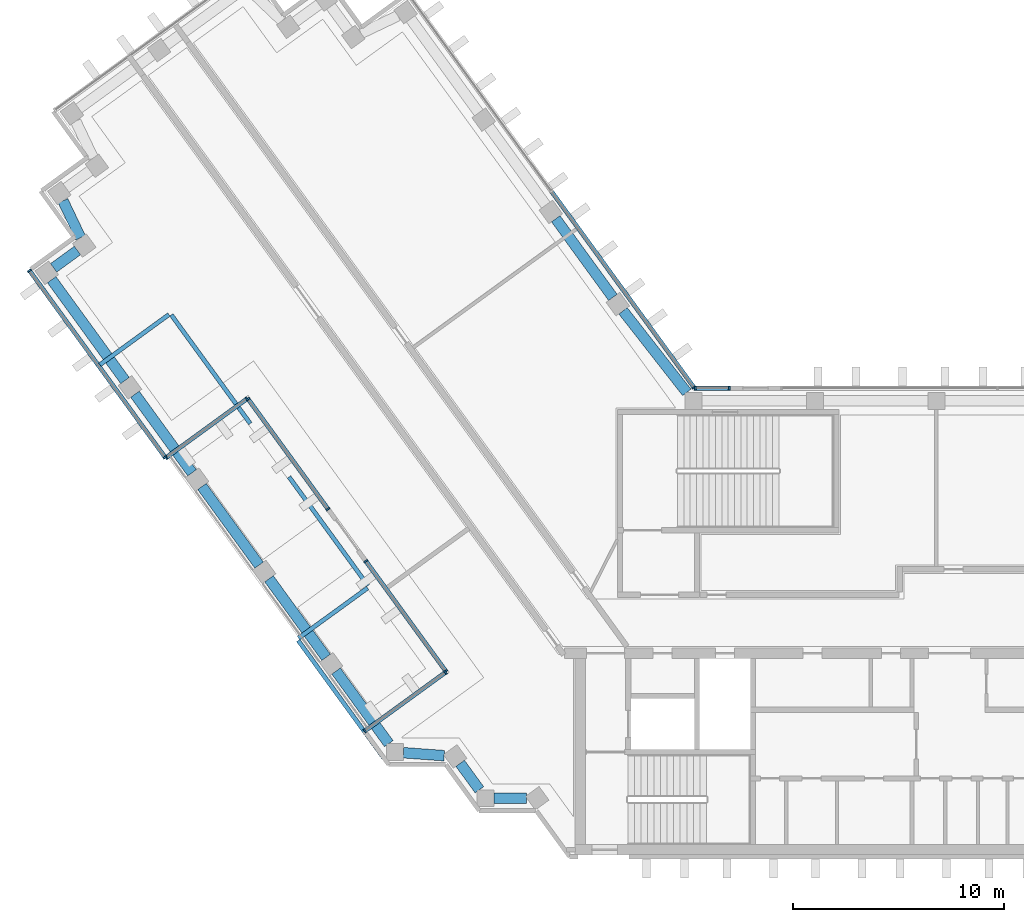
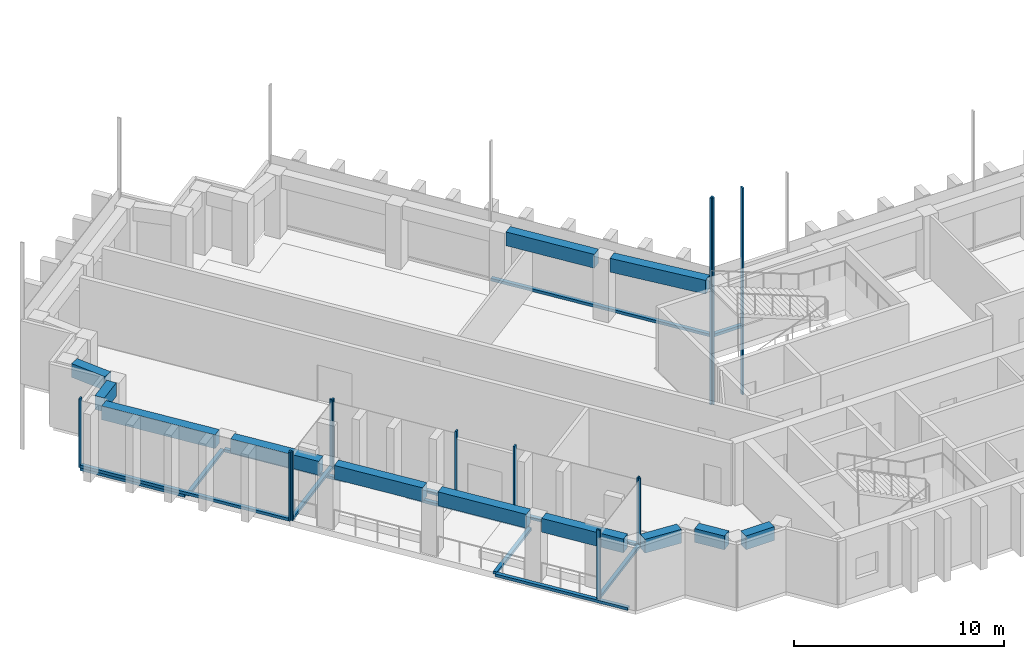
"""IFC4 building model written with IfcOpenShell, lengths in metres."""

from ifc_helpers import new_model, si_unit, direction, frame, origin, origin_2d, place, context, subcontext, project, spatial, rectangle, extrude, material, material_profile, profile_set, type_object, element, aggregate, save


model = new_model("IFC4")

# Units and contexts
model_context = context("Model", 3, precision=1e-05, world=origin(), true_north=direction((0.0, 1.0)))
body_context = subcontext(model_context, "Body", "Model", "MODEL_VIEW")
ifc_project = project(units=[si_unit("LENGTHUNIT", "METRE"), si_unit("AREAUNIT", "SQUARE_METRE"), si_unit("VOLUMEUNIT", "CUBIC_METRE"), si_unit("PLANEANGLEUNIT", "RADIAN"), si_unit("MASSUNIT", "GRAM", prefix="KILO")], contexts=[model_context])

# Site, building, storey
site_placement = place(None, origin())
site = spatial("IfcSite", under=ifc_project, at=site_placement, CompositionType="ELEMENT")
building_placement = place(site_placement, origin())
building = spatial("IfcBuilding", under=site, at=building_placement, Name="Quipu Civic Tower", CompositionType="ELEMENT")
storey_1_placement = place(building_placement, frame((0.0, 0.0, 160.0)))
storey_1 = spatial("IfcBuildingStorey", under=building, at=storey_1_placement, Name="L37", CompositionType="ELEMENT", Elevation=160.0)

# Curtain wall, members
ifc_material_1 = material(Name="Insulated glass unit", Category="glass")
curtain_wall_type = type_object("IfcCurtainWallType", Name="Office curtain wall CW1", PredefinedType="NOTDEFINED", material=ifc_material_1)
curtain_wall_1_placement = place(storey_1_placement, origin())
curtain_wall_1 = element("IfcCurtainWall", 1, at=curtain_wall_1_placement, inside=storey_1, type_object=curtain_wall_type, Name="Office curtain wall CW1 L37 run 1", PredefinedType="NOTDEFINED")
ifc_material_2 = material(Name="Anodised aluminium", Category="aluminium")
ifc_material_profile_1 = material_profile(ifc_material_2, rectangle(XDim=0.199951171875, YDim=0.080078125, at=origin_2d()), Name="RECT 200x80")
ifc_profile_set_1 = profile_set([ifc_material_profile_1], Name="Anodised aluminium")
member_type_1 = type_object("IfcMemberType", Name="Mullion CW1", PredefinedType="MULLION", material=ifc_profile_set_1)
member_1_placement = place(storey_1_placement, frame((-45.825927734375, 16.661865234375, 0.080078125), z_axis=(0.0, 0.0, 1.0), x_axis=(0.809015896796, 0.587786762977, 0.0)))
member_1 = element("IfcMember", 2, at=member_1_placement, type_object=member_type_1, Name="CW1 mullion 1", PredefinedType="MULLION", context=body_context, shape_type="SweptSolid", body=[
    extrude(rectangle(XDim=0.199951171875, YDim=0.080078125, at=origin_2d()), origin(), (0.0, 0.0, 1.0), 4.0),
])
member_2_placement = place(storey_1_placement, frame((-39.407470703125, 7.82763671875, 0.080078125), z_axis=(0.0, 0.0, 1.0), x_axis=(0.809015896796, 0.587786762977, 0.0)))
member_2 = element("IfcMember", 3, at=member_2_placement, type_object=member_type_1, Name="CW1 mullion 2", PredefinedType="MULLION", context=body_context, shape_type="SweptSolid", body=[
    extrude(rectangle(XDim=0.199951171875, YDim=0.080078125, at=origin_2d()), origin(), (0.0, 0.0, 1.0), 4.0),
])

curtain_wall_2_placement = place(storey_1_placement, origin())
curtain_wall_2 = element("IfcCurtainWall", 4, at=curtain_wall_2_placement, inside=storey_1, type_object=curtain_wall_type, Name="Office curtain wall CW1 L37 run 2", PredefinedType="NOTDEFINED")
member_3_placement = place(storey_1_placement, frame((-39.3515625, 7.818603515625, 0.080078125), z_axis=(0.0, 0.0, 1.0), x_axis=(-0.58777398931, 0.809025177291, 0.0)))
member_3 = element("IfcMember", 5, at=member_3_placement, type_object=member_type_1, Name="CW1 mullion 1", PredefinedType="MULLION", context=body_context, shape_type="SweptSolid", body=[
    extrude(rectangle(XDim=0.199951171875, YDim=0.080078125, at=origin_2d()), origin(), (0.0, 0.0, 1.0), 4.0),
])
member_4_placement = place(storey_1_placement, frame((-35.532958984375, 10.593017578125, 0.080078125), z_axis=(0.0, 0.0, 1.0), x_axis=(-0.58777398931, 0.809025177291, 0.0)))
member_4 = element("IfcMember", 6, at=member_4_placement, type_object=member_type_1, Name="CW1 mullion 2", PredefinedType="MULLION", context=body_context, shape_type="SweptSolid", body=[
    extrude(rectangle(XDim=0.199951171875, YDim=0.080078125, at=origin_2d()), origin(), (0.0, 0.0, 1.0), 4.0),
])

curtain_wall_3_placement = place(storey_1_placement, origin())
curtain_wall_3 = element("IfcCurtainWall", 7, at=curtain_wall_3_placement, inside=storey_1, type_object=curtain_wall_type, Name="Office curtain wall CW1 L37 run 3", PredefinedType="NOTDEFINED")
member_5_placement = place(storey_1_placement, frame((-35.47705078125, 10.584228515625, 0.080078125), z_axis=(0.0, 0.0, 1.0), x_axis=(0.8090179163, 0.587783983369, 0.0)))
member_5 = element("IfcMember", 8, at=member_5_placement, type_object=member_type_1, Name="CW1 mullion 1", PredefinedType="MULLION", context=body_context, shape_type="SweptSolid", body=[
    extrude(rectangle(XDim=0.199951171875, YDim=0.080078125, at=origin_2d()), origin(), (0.0, 0.0, 1.0), 4.0),
])
member_6_placement = place(storey_1_placement, frame((-31.6923828125, 5.375, 0.080078125), z_axis=(0.0, 0.0, 1.0), x_axis=(0.8090179163, 0.587783983369, 0.0)))
member_6 = element("IfcMember", 9, at=member_6_placement, type_object=member_type_1, Name="CW1 mullion 2", PredefinedType="MULLION", context=body_context, shape_type="SweptSolid", body=[
    extrude(rectangle(XDim=0.199951171875, YDim=0.080078125, at=origin_2d()), origin(), (0.0, 0.0, 1.0), 4.0),
])

curtain_wall_4_placement = place(storey_1_placement, origin())
curtain_wall_4 = element("IfcCurtainWall", 10, at=curtain_wall_4_placement, inside=storey_1, type_object=curtain_wall_type, Name="Office curtain wall CW1 L37 run 5", PredefinedType="NOTDEFINED")
member_7_placement = place(storey_1_placement, frame((-29.90380859375, 2.9130859375, 0.080078125), z_axis=(0.0, 0.0, 1.0), x_axis=(0.809017290474, 0.587784844747, 0.0)))
member_7 = element("IfcMember", 11, at=member_7_placement, type_object=member_type_1, Name="CW1 mullion 1", PredefinedType="MULLION", context=body_context, shape_type="SweptSolid", body=[
    extrude(rectangle(XDim=0.199951171875, YDim=0.080078125, at=origin_2d()), origin(), (0.0, 0.0, 1.0), 4.0),
])
member_8_placement = place(storey_1_placement, frame((-26.11962890625, -2.29541015625, 0.080078125), z_axis=(0.0, 0.0, 1.0), x_axis=(0.809017290474, 0.587784844747, 0.0)))
member_8 = element("IfcMember", 12, at=member_8_placement, type_object=member_type_1, Name="CW1 mullion 2", PredefinedType="MULLION", context=body_context, shape_type="SweptSolid", body=[
    extrude(rectangle(XDim=0.199951171875, YDim=0.080078125, at=origin_2d()), origin(), (0.0, 0.0, 1.0), 4.0),
])

curtain_wall_5_placement = place(storey_1_placement, origin())
curtain_wall_5 = element("IfcCurtainWall", 13, at=curtain_wall_5_placement, inside=storey_1, type_object=curtain_wall_type, Name="Office curtain wall CW1 L37 run 6", PredefinedType="NOTDEFINED")
member_9_placement = place(storey_1_placement, frame((-26.12841796875, -2.351318359375, 0.080078125), z_axis=(0.0, 0.0, 1.0), x_axis=(0.587797531918, -0.809008072563, 0.0)))
member_9 = element("IfcMember", 14, at=member_9_placement, type_object=member_type_1, Name="CW1 mullion 1", PredefinedType="MULLION", context=body_context, shape_type="SweptSolid", body=[
    extrude(rectangle(XDim=0.199951171875, YDim=0.080078125, at=origin_2d()), origin(), (0.0, 0.0, 1.0), 4.0),
])
member_10_placement = place(storey_1_placement, frame((-29.947021484375, -5.12548828125, 0.080078125), z_axis=(0.0, 0.0, 1.0), x_axis=(0.587797531918, -0.809008072563, 0.0)))
member_10 = element("IfcMember", 15, at=member_10_placement, type_object=member_type_1, Name="CW1 mullion 2", PredefinedType="MULLION", context=body_context, shape_type="SweptSolid", body=[
    extrude(rectangle(XDim=0.199951171875, YDim=0.080078125, at=origin_2d()), origin(), (0.0, 0.0, 1.0), 4.0),
])

# Curtain wall, member
curtain_wall_6_placement = place(storey_1_placement, origin())
curtain_wall_6 = element("IfcCurtainWall", 16, at=curtain_wall_6_placement, inside=storey_1, type_object=curtain_wall_type, Name="Office curtain wall CW1 L36 run 10", PredefinedType="NOTDEFINED")
member_11_placement = place(storey_1_placement, frame((-14.36767578125, 11.13232421875, -3.919921875), z_axis=(0.0, 0.0, 1.0), x_axis=(-0.809014469803, -0.587788727052, 0.0)))
member_11 = element("IfcMember", 17, at=member_11_placement, type_object=member_type_1, Name="CW1 mullion 1", PredefinedType="MULLION", context=body_context, shape_type="SweptSolid", body=[
    extrude(rectangle(XDim=0.199951171875, YDim=0.080078125, at=origin_2d()), origin(), (0.0, 0.0, 1.0), 12.0),
])

# Curtain wall, members
curtain_wall_7_placement = place(storey_1_placement, origin())
curtain_wall_7 = element("IfcCurtainWall", 18, at=curtain_wall_7_placement, inside=storey_1, type_object=curtain_wall_type, Name="Office curtain wall CW1 L36 run 41", PredefinedType="NOTDEFINED")
member_12_placement = place(storey_1_placement, frame((-12.695068359375, 11.10009765625, -3.919921875), z_axis=(0.0, 0.0, 1.0), x_axis=(0.0, -1.0, 0.0)))
member_12 = element("IfcMember", 19, at=member_12_placement, type_object=member_type_1, Name="CW1 mullion 1", PredefinedType="MULLION", context=body_context, shape_type="SweptSolid", body=[
    extrude(rectangle(XDim=0.199951171875, YDim=0.080078125, at=origin_2d()), origin(), (0.0, 0.0, 1.0), 12.0),
])
member_13_placement = place(storey_1_placement, frame((-14.30419921875, 11.10009765625, -3.919921875), z_axis=(0.0, 0.0, 1.0), x_axis=(0.0, -1.0, 0.0)))
member_13 = element("IfcMember", 20, at=member_13_placement, type_object=member_type_1, Name="CW1 mullion 2", PredefinedType="MULLION", context=body_context, shape_type="SweptSolid", body=[
    extrude(rectangle(XDim=0.199951171875, YDim=0.080078125, at=origin_2d()), origin(), (0.0, 0.0, 1.0), 12.0),
])

# Beams
ifc_material_3 = material(Name="Concrete C50/60", Category="concrete")
ifc_material_profile_2 = material_profile(ifc_material_3, rectangle(XDim=0.5, YDim=0.800048828125, at=origin_2d()), Name="RC500x800")
ifc_profile_set_2 = profile_set([ifc_material_profile_2], Name="Concrete C50/60")
beam_type = type_object("IfcBeamType", Name="Spandrel beam RC 500x800 C50/60", PredefinedType="SPANDREL", material=ifc_profile_set_2)
beam_1_placement = place(storey_1_placement, frame((-18.208740234375, 15.398681640625, 3.25), z_axis=(-0.58776136044, 0.809034352283, 0.0), x_axis=(-0.809034352283, -0.58776136044, 0.0)))
element("IfcBeam", 21, at=beam_1_placement, inside=storey_1, type_object=beam_type, Name="Spandrel beam L37 W-IN-01 to W-IN-02", PredefinedType="SPANDREL", context=body_context, shape_type="SweptSolid", body=[
    extrude(rectangle(XDim=0.5, YDim=0.800048828125, at=origin_2d()), origin(), (0.0, 0.0, 1.0), 4.599853515625),
])
beam_2_placement = place(storey_1_placement, frame((-44.23974609375, 19.9677734375, 3.25), z_axis=(0.430785642718, -0.902454281406, 0.0), x_axis=(0.902454281406, 0.430785642718, 0.0)))
element("IfcBeam", 22, at=beam_2_placement, inside=storey_1, type_object=beam_type, Name="Spandrel beam L37 T-Wo.2-W34 to T-Wo.3-W34", PredefinedType="SPANDREL", context=body_context, shape_type="SweptSolid", body=[
    extrude(rectangle(XDim=0.5, YDim=0.800048828125, at=origin_2d()), origin(), (0.0, 0.0, 1.0), 1.934814453125),
])
beam_3_placement = place(storey_1_placement, frame((-43.554443359375, 17.619140625, 3.25), z_axis=(-0.808600329101, -0.588358315805, 0.0), x_axis=(0.588358315805, -0.808600329101, 0.0)))
element("IfcBeam", 23, at=beam_3_placement, inside=storey_1, type_object=beam_type, Name="Spandrel beam L37 T-Wo.3-W34 to T-Wo.4-W34", PredefinedType="SPANDREL", context=body_context, shape_type="SweptSolid", body=[
    extrude(rectangle(XDim=0.5, YDim=0.800048828125, at=origin_2d()), origin(), (0.0, 0.0, 1.0), 1.400146484375),
])
beam_4_placement = place(storey_1_placement, frame((-44.77490234375, 16.236328125, 3.25), z_axis=(0.58780026889, -0.809006083965, 0.0), x_axis=(0.809006083965, 0.58780026889, 0.0)))
element("IfcBeam", 24, at=beam_4_placement, inside=storey_1, type_object=beam_type, Name="Spandrel beam L37 T-Wo.4-W34 to W-OUT-04", PredefinedType="SPANDREL", context=body_context, shape_type="SweptSolid", body=[
    extrude(rectangle(XDim=0.5, YDim=0.800048828125, at=origin_2d()), origin(), (0.0, 0.0, 1.0), 5.902587890625),
])
beam_5_placement = place(storey_1_placement, frame((-40.835205078125, 10.81396484375, 3.25), z_axis=(0.587770861189, -0.809027449928, 0.0), x_axis=(0.809027449928, 0.587770861189, 0.0)))
element("IfcBeam", 25, at=beam_5_placement, inside=storey_1, type_object=beam_type, Name="Spandrel beam L37 W-OUT-04 to W-OUT-03", PredefinedType="SPANDREL", context=body_context, shape_type="SweptSolid", body=[
    extrude(rectangle(XDim=0.5, YDim=0.800048828125, at=origin_2d()), origin(), (0.0, 0.0, 1.0), 4.60009765625),
])
beam_6_placement = place(storey_1_placement, frame((-37.6611328125, 6.445068359375, 3.25), z_axis=(0.58776136044, -0.809034352283, 0.0), x_axis=(0.809034352283, 0.58776136044, 0.0)))
element("IfcBeam", 26, at=beam_6_placement, inside=storey_1, type_object=beam_type, Name="Spandrel beam L37 W-OUT-03 to W-OUT-02", PredefinedType="SPANDREL", context=body_context, shape_type="SweptSolid", body=[
    extrude(rectangle(XDim=0.5, YDim=0.800048828125, at=origin_2d()), origin(), (0.0, 0.0, 1.0), 4.599853515625),
])
beam_7_placement = place(storey_1_placement, frame((-34.4873046875, 2.076416015625, 3.25), z_axis=(0.587796098864, -0.809009113768, 0.0), x_axis=(0.809009113768, 0.587796098864, 0.0)))
element("IfcBeam", 27, at=beam_7_placement, inside=storey_1, type_object=beam_type, Name="Spandrel beam L37 W-OUT-02 to W-OUT-01", PredefinedType="SPANDREL", context=body_context, shape_type="SweptSolid", body=[
    extrude(rectangle(XDim=0.5, YDim=0.800048828125, at=origin_2d()), origin(), (0.0, 0.0, 1.0), 4.60009765625),
])
beam_8_placement = place(storey_1_placement, frame((-31.313232421875, -2.292236328125, 3.25), z_axis=(0.58776850526, -0.809029161541, 0.0), x_axis=(0.809029161541, 0.58776850526, 0.0)))
element("IfcBeam", 28, at=beam_8_placement, inside=storey_1, type_object=beam_type, Name="Spandrel beam L37 W-OUT-01 to J-Wo.0", PredefinedType="SPANDREL", context=body_context, shape_type="SweptSolid", body=[
    extrude(rectangle(XDim=0.5, YDim=0.800048828125, at=origin_2d()), origin(), (0.0, 0.0, 1.0), 4.249267578125),
])
beam_9_placement = place(storey_1_placement, frame((-28.125, -6.158935546875, 3.25), z_axis=(0.997370796499, -0.072467194581, 0.0), x_axis=(0.072467194581, 0.997370796499, 0.0)))
element("IfcBeam", 29, at=beam_9_placement, inside=storey_1, type_object=beam_type, Name="Spandrel beam L37 J-Wo.0 to J-Wo.1", PredefinedType="SPANDREL", context=body_context, shape_type="SweptSolid", body=[
    extrude(rectangle(XDim=0.5, YDim=0.800048828125, at=origin_2d()), origin(), (0.0, 0.0, 1.0), 1.933837890625),
])
beam_10_placement = place(storey_1_placement, frame((-25.43896484375, -6.660400390625, 3.25), z_axis=(0.588330737135, -0.808620395329, 0.0), x_axis=(0.808620395329, 0.588330737135, 0.0)))
element("IfcBeam", 30, at=beam_10_placement, inside=storey_1, type_object=beam_type, Name="Spandrel beam L37 J-Wo.1 to J-Wo.2", PredefinedType="SPANDREL", context=body_context, shape_type="SweptSolid", body=[
    extrude(rectangle(XDim=0.5, YDim=0.800048828125, at=origin_2d()), origin(), (0.0, 0.0, 1.0), 1.551513671875),
])
beam_11_placement = place(storey_1_placement, frame((-23.8349609375, -8.31494140625, 3.25), z_axis=(1.0, 0.0, 0.0), x_axis=(0.0, 1.0, 0.0)))
element("IfcBeam", 31, at=beam_11_placement, inside=storey_1, type_object=beam_type, Name="Spandrel beam L37 J-Wo.2 to J-Wo.3", PredefinedType="SPANDREL", context=body_context, shape_type="SweptSolid", body=[
    extrude(rectangle(XDim=0.5, YDim=0.800048828125, at=origin_2d()), origin(), (0.0, 0.0, 1.0), 1.548828125),
])
beam_12_placement = place(storey_1_placement, frame((-14.7080078125, 10.89990234375, 3.25), z_axis=(-0.616090612932, 0.787675286306, 0.0), x_axis=(-0.787675286306, -0.616090612932, 0.0)))
element("IfcBeam", 32, at=beam_12_placement, inside=storey_1, type_object=beam_type, Name="Spandrel beam L37 J-Wi.0 to W-IN-01", PredefinedType="SPANDREL", context=body_context, shape_type="SweptSolid", body=[
    extrude(rectangle(XDim=0.5, YDim=0.800048828125, at=origin_2d()), origin(), (0.0, 0.0, 1.0), 4.900390625),
])

# Storey
storey_2_placement = place(building_placement, frame((0.0, 0.0, 156.0)))
storey_2 = spatial("IfcBuildingStorey", under=building, at=storey_2_placement, Name="L36", CompositionType="ELEMENT", Elevation=156.0)

# Curtain wall, member
curtain_wall_8_placement = place(storey_2_placement, origin())
curtain_wall_8 = element("IfcCurtainWall", 33, at=curtain_wall_8_placement, inside=storey_2, type_object=curtain_wall_type, Name="Office curtain wall CW1 L36 run 1", PredefinedType="NOTDEFINED")
ifc_material_4 = material(Name="Anodised aluminium", Category="aluminium")
ifc_material_profile_3 = material_profile(ifc_material_4, rectangle(XDim=0.199951171875, YDim=0.159912109375, at=origin_2d()), Name="RECT 200x160")
ifc_profile_set_3 = profile_set([ifc_material_profile_3], Name="Anodised aluminium")
member_type_2 = type_object("IfcMemberType", Name="Transom CW1", PredefinedType="USERDEFINED", material=ifc_profile_set_3)
member_14_placement = place(storey_1_placement, frame((-45.802490234375, 16.629638671875, 0.0), z_axis=(0.587774027131, -0.809025149813, 0.0), x_axis=(0.809025149813, 0.587774027131, 0.0)))
member_14 = element("IfcMember", 34, at=member_14_placement, inside=storey_1, type_object=member_type_2, Name="CW1 transom 1.2", ObjectType="TRANSOM", PredefinedType="USERDEFINED", context=body_context, shape_type="SweptSolid", body=[
    extrude(rectangle(XDim=0.199951171875, YDim=0.159912109375, at=origin_2d()), origin(), (0.0, 0.0, 1.0), 5.43994140625),
])
aggregate(curtain_wall_8, [member_14])

curtain_wall_9_placement = place(storey_2_placement, origin())
curtain_wall_9 = element("IfcCurtainWall", 35, at=curtain_wall_9_placement, inside=storey_2, type_object=curtain_wall_type, Name="Office curtain wall CW1 L36 run 2", PredefinedType="NOTDEFINED")
member_15_placement = place(storey_1_placement, frame((-42.4931640625, 12.2109375, 0.0), z_axis=(0.809015596824, 0.587787175852, 0.0), x_axis=(-0.587787175852, 0.809015596824, 0.0)))
member_15 = element("IfcMember", 36, at=member_15_placement, inside=storey_1, type_object=member_type_2, Name="CW1 transom 1.2", ObjectType="TRANSOM", PredefinedType="USERDEFINED", context=body_context, shape_type="SweptSolid", body=[
    extrude(rectangle(XDim=0.199951171875, YDim=0.159912109375, at=origin_2d()), origin(), (0.0, 0.0, 1.0), 4.040283203125),
])
aggregate(curtain_wall_9, [member_15])

curtain_wall_10_placement = place(storey_2_placement, origin())
curtain_wall_10 = element("IfcCurtainWall", 37, at=curtain_wall_10_placement, inside=storey_2, type_object=curtain_wall_type, Name="Office curtain wall CW1 L36 run 3", PredefinedType="NOTDEFINED")
member_16_placement = place(storey_1_placement, frame((-39.113037109375, 14.56787109375, 0.0), z_axis=(0.587785815007, -0.809016585539, 0.0), x_axis=(0.809016585539, 0.587785815007, 0.0)))
member_16 = element("IfcMember", 38, at=member_16_placement, inside=storey_1, type_object=member_type_2, Name="CW1 transom 1.2", ObjectType="TRANSOM", PredefinedType="USERDEFINED", context=body_context, shape_type="SweptSolid", body=[
    extrude(rectangle(XDim=0.199951171875, YDim=0.159912109375, at=origin_2d()), origin(), (0.0, 0.0, 1.0), 6.358642578125),
])
aggregate(curtain_wall_10, [member_16])

curtain_wall_11_placement = place(storey_2_placement, origin())
curtain_wall_11 = element("IfcCurtainWall", 39, at=curtain_wall_11_placement, inside=storey_2, type_object=curtain_wall_type, Name="Office curtain wall CW1 L36 run 5", PredefinedType="NOTDEFINED")
member_17_placement = place(storey_1_placement, frame((-33.539794921875, 6.89697265625, 0.0), z_axis=(0.587778942742, -0.809021578494, 0.0), x_axis=(0.809021578494, 0.587778942742, 0.0)))
member_17 = element("IfcMember", 40, at=member_17_placement, inside=storey_1, type_object=member_type_2, Name="CW1 transom 1.2", ObjectType="TRANSOM", PredefinedType="USERDEFINED", context=body_context, shape_type="SweptSolid", body=[
    extrude(rectangle(XDim=0.199951171875, YDim=0.159912109375, at=origin_2d()), origin(), (0.0, 0.0, 1.0), 6.3583984375),
])
aggregate(curtain_wall_11, [member_17])

curtain_wall_12_placement = place(storey_2_placement, origin())
curtain_wall_12 = element("IfcCurtainWall", 41, at=curtain_wall_12_placement, inside=storey_2, type_object=curtain_wall_type, Name="Office curtain wall CW1 L36 run 6", PredefinedType="NOTDEFINED")
member_18_placement = place(storey_1_placement, frame((-29.8203125, 1.641357421875, 0.0), z_axis=(-0.808994717653, -0.587815912348, 0.0), x_axis=(0.587815912348, -0.808994717653, 0.0)))
member_18 = element("IfcMember", 42, at=member_18_placement, inside=storey_1, type_object=member_type_2, Name="CW1 transom 1.2", ObjectType="TRANSOM", PredefinedType="USERDEFINED", context=body_context, shape_type="SweptSolid", body=[
    extrude(rectangle(XDim=0.199951171875, YDim=0.159912109375, at=origin_2d()), origin(), (0.0, 0.0, 1.0), 4.0400390625),
])
aggregate(curtain_wall_12, [member_18])

curtain_wall_13_placement = place(storey_2_placement, origin())
curtain_wall_13 = element("IfcCurtainWall", 43, at=curtain_wall_13_placement, inside=storey_2, type_object=curtain_wall_type, Name="Office curtain wall CW1 L36 run 7", PredefinedType="NOTDEFINED")
member_19_placement = place(storey_1_placement, frame((-33.1064453125, -0.84521484375, 0.0), z_axis=(0.58780324955, -0.809003918296, 0.0), x_axis=(0.809003918296, 0.58780324955, 0.0)))
member_19 = element("IfcMember", 44, at=member_19_placement, inside=storey_1, type_object=member_type_2, Name="CW1 transom 1.2", ObjectType="TRANSOM", PredefinedType="USERDEFINED", context=body_context, shape_type="SweptSolid", body=[
    extrude(rectangle(XDim=0.199951171875, YDim=0.159912109375, at=origin_2d()), origin(), (0.0, 0.0, 1.0), 6.89599609375),
])
aggregate(curtain_wall_13, [member_19])

# Member
member_20_placement = place(storey_1_placement, frame((-45.802490234375, 16.629638671875, 0.159912109375), z_axis=(0.587783274816, -0.809018431092, 0.0), x_axis=(0.809018431092, 0.587783274816, 0.0)))
member_20 = element("IfcMember", 45, at=member_20_placement, type_object=member_type_2, Name="CW1 transom 1.1", ObjectType="TRANSOM", PredefinedType="USERDEFINED", context=body_context, shape_type="SweptSolid", body=[
    extrude(rectangle(XDim=0.199951171875, YDim=0.159912109375, at=origin_2d()), origin(), (0.0, 0.0, 1.0), 10.840087890625),
])

aggregate(curtain_wall_1, [member_1, member_2, member_20])

member_21_placement = place(storey_1_placement, frame((-39.319091796875, 7.84228515625, 0.159912109375), z_axis=(0.809006769669, 0.587799325136, 0.0), x_axis=(-0.587799325136, 0.809006769669, 0.0)))
member_21 = element("IfcMember", 46, at=member_21_placement, type_object=member_type_2, Name="CW1 transom 1.1", ObjectType="TRANSOM", PredefinedType="USERDEFINED", context=body_context, shape_type="SweptSolid", body=[
    extrude(rectangle(XDim=0.199951171875, YDim=0.159912109375, at=origin_2d()), origin(), (0.0, 0.0, 1.0), 4.639892578125),
])

aggregate(curtain_wall_2, [member_3, member_4, member_21])

member_22_placement = place(storey_1_placement, frame((-35.45361328125, 10.5517578125, 0.159912109375), z_axis=(0.587792686492, -0.809011593061, 0.0), x_axis=(0.809011593061, 0.587792686492, 0.0)))
member_22 = element("IfcMember", 47, at=member_22_placement, type_object=member_type_2, Name="CW1 transom 1.1", ObjectType="TRANSOM", PredefinedType="USERDEFINED", context=body_context, shape_type="SweptSolid", body=[
    extrude(rectangle(XDim=0.199951171875, YDim=0.159912109375, at=origin_2d()), origin(), (0.0, 0.0, 1.0), 6.359130859375),
])

aggregate(curtain_wall_3, [member_5, member_6, member_22])

member_23_placement = place(storey_1_placement, frame((-29.88037109375, 2.880859375, 0.159912109375), z_axis=(0.587797201853, -0.809008312376, 0.0), x_axis=(0.809008312376, 0.587797201853, 0.0)))
member_23 = element("IfcMember", 48, at=member_23_placement, type_object=member_type_2, Name="CW1 transom 1.1", ObjectType="TRANSOM", PredefinedType="USERDEFINED", context=body_context, shape_type="SweptSolid", body=[
    extrude(rectangle(XDim=0.199951171875, YDim=0.159912109375, at=origin_2d()), origin(), (0.0, 0.0, 1.0), 6.358154296875),
])

aggregate(curtain_wall_4, [member_7, member_8, member_23])

member_24_placement = place(storey_1_placement, frame((-26.160888671875, -2.374755859375, 0.159912109375), z_axis=(-0.809006769669, -0.587799325136, 0.0), x_axis=(0.587799325136, -0.809006769669, 0.0)))
member_24 = element("IfcMember", 49, at=member_24_placement, type_object=member_type_2, Name="CW1 transom 1.1", ObjectType="TRANSOM", PredefinedType="USERDEFINED", context=body_context, shape_type="SweptSolid", body=[
    extrude(rectangle(XDim=0.199951171875, YDim=0.159912109375, at=origin_2d()), origin(), (0.0, 0.0, 1.0), 4.639892578125),
])

aggregate(curtain_wall_5, [member_9, member_10, member_24])

member_25_placement = place(storey_1_placement, frame((-14.39111328125, 11.164794921875, 0.080078125), z_axis=(-0.587799878401, 0.809006367683, 0.0), x_axis=(-0.809006367683, -0.587799878401, 0.0)))
member_25 = element("IfcMember", 50, at=member_25_placement, type_object=member_type_2, Name="CW1 transom 1.2", ObjectType="TRANSOM", PredefinedType="USERDEFINED", context=body_context, shape_type="SweptSolid", body=[
    extrude(rectangle(XDim=0.199951171875, YDim=0.159912109375, at=origin_2d()), origin(), (0.0, 0.0, 1.0), 11.402099609375),
])

aggregate(curtain_wall_6, [member_11, member_25])

member_26_placement = place(storey_1_placement, frame((-12.735107421875, 11.10009765625, 0.080078125), z_axis=(-1.0, 0.0, 0.0), x_axis=(0.0, -1.0, 0.0)))
member_26 = element("IfcMember", 51, at=member_26_placement, type_object=member_type_2, Name="CW1 transom 1.2", ObjectType="TRANSOM", PredefinedType="USERDEFINED", context=body_context, shape_type="SweptSolid", body=[
    extrude(rectangle(XDim=0.199951171875, YDim=0.159912109375, at=origin_2d()), origin(), (0.0, 0.0, 1.0), 1.529052734375),
])

aggregate(curtain_wall_7, [member_12, member_13, member_26])

save(model, "model.ifc")
